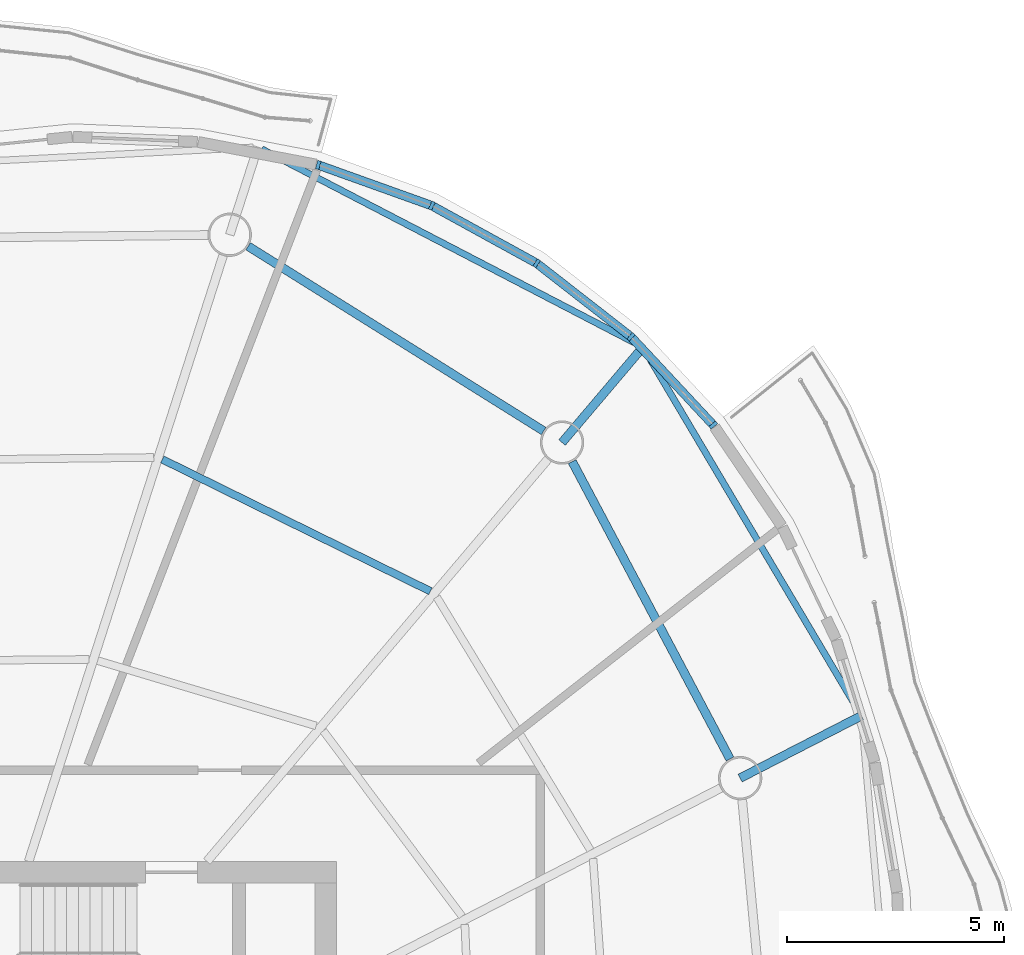
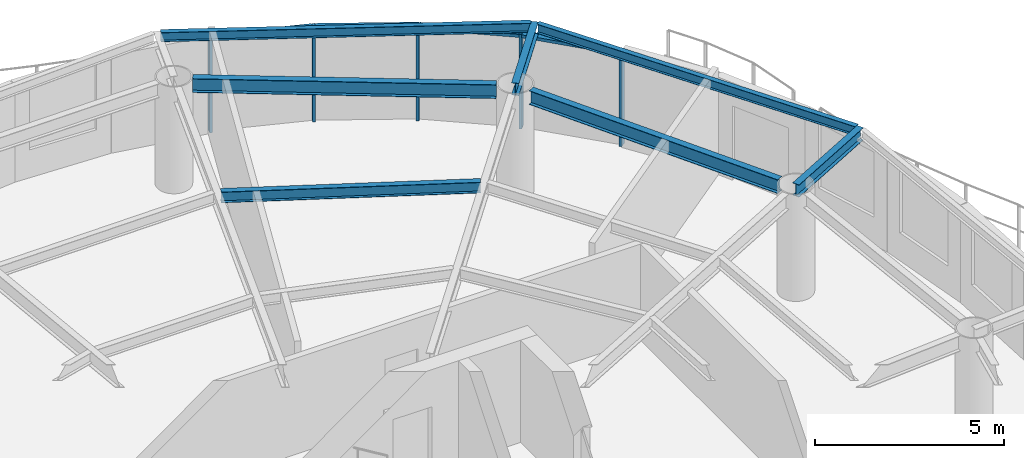
# One storey, part 6 of 15: 9 members, 7 beams, 4 elements without a shape of their own.
"""IFC4 building model written with IfcOpenShell, lengths in metres."""

from ifc_helpers import new_model, si_unit, direction, frame, origin, origin_2d, place, context, subcontext, project, spatial, rectangle, i_section, extrude, material, material_profile, profile_set, type_object, element, aggregate, save


model = new_model("IFC4")

# Units and contexts
model_context = context("Model", 3, precision=1e-05, world=origin(), true_north=direction((0.0, 1.0)))
body_context = subcontext(model_context, "Body", "Model", "MODEL_VIEW")
ifc_project = project(units=[si_unit("LENGTHUNIT", "METRE"), si_unit("AREAUNIT", "SQUARE_METRE"), si_unit("VOLUMEUNIT", "CUBIC_METRE"), si_unit("PLANEANGLEUNIT", "RADIAN"), si_unit("MASSUNIT", "GRAM", prefix="KILO")], contexts=[model_context])

# Site, building, storey
site_placement = place(None, origin())
site = spatial("IfcSite", under=ifc_project, at=site_placement, CompositionType="ELEMENT")
building_placement = place(site_placement, origin())
building = spatial("IfcBuilding", under=site, at=building_placement, Name="Vermilion Reach Broadcast Tower", CompositionType="ELEMENT")
storey_placement = place(building_placement, frame((0.0, 0.0, 261.300048828125)))
storey = spatial("IfcBuildingStorey", under=building, at=storey_placement, Name="L64", CompositionType="ELEMENT", Elevation=261.300048828125)

# Beams
ifc_material_1 = material(Name="Steel S355J2", Category="steel")
ifc_material_profile_1 = material_profile(ifc_material_1, i_section(OverallWidth=0.14990234375, OverallDepth=0.300048828125, WebThickness=0.006591796875, FlangeThickness=0.009033203125, at=origin_2d()), Name="S355J2 HN 300x150x6.5x9")
ifc_profile_set_1 = profile_set([ifc_material_profile_1], Name="Steel S355J2")
beam_type_1 = type_object("IfcBeamType", Name="EB5 HN 300x150x6.5x9", PredefinedType="BEAM", material=ifc_profile_set_1)
beam_1_placement = place(storey_placement, frame((15.651123046875, 11.244384765625, 3.300048828125), z_axis=(-0.509893702773, 0.860237415992, 0.0), x_axis=(-0.860237415992, -0.509893702773, 0.0)))
element("IfcBeam", 1, at=beam_1_placement, inside=storey, type_object=beam_type_1, Name="Edge beam EB5-15", PredefinedType="BEAM", context=body_context, shape_type="SweptSolid", body=[
    extrude(i_section(OverallWidth=0.14990234375, OverallDepth=0.300048828125, WebThickness=0.006591796875, FlangeThickness=0.009033203125, at=origin_2d()), origin(), (0.0, 0.0, 1.0), 9.673828125),
])
beam_2_placement = place(storey_placement, frame((10.57373046875, 19.70458984375, 3.300048828125), z_axis=(-0.887399463352, 0.461001293319, 0.0), x_axis=(-0.461001293319, -0.887399463352, 0.0)))
element("IfcBeam", 2, at=beam_2_placement, inside=storey, type_object=beam_type_1, Name="Edge beam EB5-16", PredefinedType="BEAM", context=body_context, shape_type="SweptSolid", body=[
    extrude(i_section(OverallWidth=0.14990234375, OverallDepth=0.300048828125, WebThickness=0.006591796875, FlangeThickness=0.009033203125, at=origin_2d()), origin(), (0.0, 0.0, 1.0), 9.800048828125),
])
ifc_material_2 = material(Name="Steel S355J2", Category="steel")
ifc_material_profile_2 = material_profile(ifc_material_2, i_section(OverallWidth=0.199951171875, OverallDepth=0.39990234375, WebThickness=0.008056640625, FlangeThickness=0.012939453125, at=origin_2d()), Name="S355J2 HN 400x200x8x13")
ifc_profile_set_2 = profile_set([ifc_material_profile_2], Name="Steel S355J2")
beam_type_2 = type_object("IfcBeamType", Name="GC5 HN 400x200x8x13", PredefinedType="BEAM", material=ifc_profile_set_2)
beam_3_placement = place(storey_placement, frame((12.905517578125, 9.72021484375, 3.25), z_axis=(0.889323886148, 0.457277842812, 0.0), x_axis=(-0.457277842812, 0.889323886148, 0.0)))
element("IfcBeam", 3, at=beam_3_placement, inside=storey, type_object=beam_type_2, Name="Cantilever girder GC5-15", PredefinedType="BEAM", context=body_context, shape_type="SweptSolid", body=[
    extrude(i_section(OverallWidth=0.199951171875, OverallDepth=0.39990234375, WebThickness=0.008056640625, FlangeThickness=0.012939453125, at=origin_2d()), origin(), (0.0, 0.0, 1.0), 3.144775390625),
])
beam_4_placement = place(storey_placement, frame((8.799560546875, 17.457275390625, 3.25), z_axis=(0.646647778252, 0.762788732796, 0.0), x_axis=(-0.762788732796, 0.646647778252, 0.0)))
element("IfcBeam", 4, at=beam_4_placement, inside=storey, type_object=beam_type_2, Name="Cantilever girder GC5-16", PredefinedType="BEAM", context=body_context, shape_type="SweptSolid", body=[
    extrude(i_section(OverallWidth=0.199951171875, OverallDepth=0.39990234375, WebThickness=0.008056640625, FlangeThickness=0.012939453125, at=origin_2d()), origin(), (0.0, 0.0, 1.0), 2.884033203125),
])
ifc_material_3 = material(Name="Steel S355J2", Category="steel")
ifc_material_profile_3 = material_profile(ifc_material_3, i_section(OverallWidth=0.199951171875, OverallDepth=0.449951171875, WebThickness=0.009033203125, FlangeThickness=0.013916015625, at=origin_2d()), Name="S355J2 HN 450x200x9x14")
ifc_profile_set_3 = profile_set([ifc_material_profile_3], Name="Steel S355J2")
beam_type_3 = type_object("IfcBeamType", Name="RB5 HN 450x200x9x14", PredefinedType="BEAM", material=ifc_profile_set_3)
beam_5_placement = place(storey_placement, frame((12.671142578125, 10.161865234375, 3.224853515625), z_axis=(-0.468767917375, 0.883321368269, 0.0), x_axis=(-0.883321368269, -0.468767917375, 0.0)))
element("IfcBeam", 5, at=beam_5_placement, inside=storey, type_object=beam_type_3, Name="Ring beam RB5-15", PredefinedType="BEAM", context=body_context, shape_type="SweptSolid", body=[
    extrude(i_section(OverallWidth=0.199951171875, OverallDepth=0.449951171875, WebThickness=0.009033203125, FlangeThickness=0.013916015625, at=origin_2d()), origin(), (0.0, 0.0, 1.0), 7.759033203125),
])
beam_6_placement = place(storey_placement, frame((8.375732421875, 17.722412109375, 3.224853515625), z_axis=(-0.847914653245, 0.530132757724, 0.0), x_axis=(-0.530132757724, -0.847914653245, 0.0)))
element("IfcBeam", 6, at=beam_6_placement, inside=storey, type_object=beam_type_3, Name="Ring beam RB5-16", PredefinedType="BEAM", context=body_context, shape_type="SweptSolid", body=[
    extrude(i_section(OverallWidth=0.199951171875, OverallDepth=0.449951171875, WebThickness=0.009033203125, FlangeThickness=0.013916015625, at=origin_2d()), origin(), (0.0, 0.0, 1.0), 8.035400390625),
])
ifc_material_4 = material(Name="Steel S355J2", Category="steel")
ifc_material_profile_4 = material_profile(ifc_material_4, i_section(OverallWidth=0.175048828125, OverallDepth=0.35009765625, WebThickness=0.007080078125, FlangeThickness=0.010986328125, at=origin_2d()), Name="S355J2 HN 350x175x7x11")
ifc_profile_set_4 = profile_set([ifc_material_profile_4], Name="Steel S355J2")
beam_type_4 = type_object("IfcBeamType", Name="SB5 HN 350x175x7x11", PredefinedType="BEAM", material=ifc_profile_set_4)
beam_7_placement = place(storey_placement, frame((5.762451171875, 14.029541015625, 3.27490234375), z_axis=(-0.897335928087, 0.441348198325, 0.0), x_axis=(-0.441348198325, -0.897335928087, 0.0)))
element("IfcBeam", 7, at=beam_7_placement, inside=storey, type_object=beam_type_4, Name="Secondary beam SB5-16-2", PredefinedType="BEAM", context=body_context, shape_type="SweptSolid", body=[
    extrude(i_section(OverallWidth=0.175048828125, OverallDepth=0.35009765625, WebThickness=0.007080078125, FlangeThickness=0.010986328125, at=origin_2d()), origin(), (0.0, 0.0, 1.0), 6.887451171875),
])

# Curtain wall, member
ifc_material_5 = material(Name="Low-e laminated clear glass in aluminium frame", Category="aluminium")
curtain_wall_type = type_object("IfcCurtainWallType", Name="Slot curtain wall", PredefinedType="NOTDEFINED", material=ifc_material_5)
placement = place(storey_placement, origin())
curtain_wall_1 = element("IfcCurtainWall", 8, at=placement, inside=storey, type_object=curtain_wall_type, Name="Slot curtain wall L64 46", PredefinedType="NOTDEFINED")
ifc_material_6 = material(Name="Anodised aluminium", Category="aluminium")
ifc_material_profile_5 = material_profile(ifc_material_6, rectangle(XDim=0.199951171875, YDim=0.080078125, at=origin_2d()), Name="Slot mullion 80 x 200")
ifc_profile_set_5 = profile_set([ifc_material_profile_5], Name="Anodised aluminium")
member_type_1 = type_object("IfcMemberType", Name="Slot mullion 80 x 200", PredefinedType="MULLION", material=ifc_profile_set_5)
member_1_placement = place(storey_placement, frame((12.28662109375, 17.859619140625, 0.0), z_axis=(0.0, 0.0, 1.0), x_axis=(-0.781884873438, -0.623422845819, 0.0)))
member_1 = element("IfcMember", 9, at=member_1_placement, type_object=member_type_1, Name="Slot mullion L64 46", PredefinedType="MULLION", context=body_context, shape_type="SweptSolid", body=[
    extrude(rectangle(XDim=0.199951171875, YDim=0.080078125, at=origin_2d()), origin(), (0.0, 0.0, 1.0), 3.050048828125),
])

curtain_wall_2 = element("IfcCurtainWall", 10, at=placement, inside=storey, type_object=curtain_wall_type, Name="Slot curtain wall L64 47", PredefinedType="NOTDEFINED")
member_2_placement = place(storey_placement, frame((10.389404296875, 19.89404296875, 0.0), z_axis=(0.0, 0.0, 1.0), x_axis=(-0.675190015526, -0.737643845588, 0.0)))
member_2 = element("IfcMember", 11, at=member_2_placement, type_object=member_type_1, Name="Slot mullion L64 47", PredefinedType="MULLION", context=body_context, shape_type="SweptSolid", body=[
    extrude(rectangle(XDim=0.199951171875, YDim=0.080078125, at=origin_2d()), origin(), (0.0, 0.0, 1.0), 3.050048828125),
])

curtain_wall_3 = element("IfcCurtainWall", 12, at=placement, inside=storey, type_object=curtain_wall_type, Name="Slot curtain wall L64 00", PredefinedType="NOTDEFINED")
member_3_placement = place(storey_placement, frame((8.214111328125, 21.589599609375, 0.0), z_axis=(0.0, 0.0, 1.0), x_axis=(-0.549897777152, -0.835231964596, 0.0)))
member_3 = element("IfcMember", 13, at=member_3_placement, type_object=member_type_1, Name="Slot mullion L64 00", PredefinedType="MULLION", context=body_context, shape_type="SweptSolid", body=[
    extrude(rectangle(XDim=0.199951171875, YDim=0.080078125, at=origin_2d()), origin(), (0.0, 0.0, 1.0), 3.050048828125),
])

# Curtain wall, members
curtain_wall_4 = element("IfcCurtainWall", 14, at=placement, inside=storey, type_object=curtain_wall_type, Name="Slot curtain wall L64 01", PredefinedType="NOTDEFINED")
member_4_placement = place(storey_placement, frame((5.796875, 22.917724609375, 0.0), z_axis=(0.0, 0.0, 1.0), x_axis=(-0.41073620737, -0.911754225631, 0.0)))
member_4 = element("IfcMember", 15, at=member_4_placement, type_object=member_type_1, Name="Slot mullion L64 01", PredefinedType="MULLION", context=body_context, shape_type="SweptSolid", body=[
    extrude(rectangle(XDim=0.199951171875, YDim=0.080078125, at=origin_2d()), origin(), (0.0, 0.0, 1.0), 3.050048828125),
])
member_5_placement = place(storey_placement, frame((3.17822265625, 23.856201171875, 0.0), z_axis=(0.0, 0.0, 1.0), x_axis=(-0.263646156395, -0.964619460833, 0.0)))
member_5 = element("IfcMember", 16, at=member_5_placement, type_object=member_type_1, Name="Slot mullion L64 02", PredefinedType="MULLION", context=body_context, shape_type="SweptSolid", body=[
    extrude(rectangle(XDim=0.199951171875, YDim=0.080078125, at=origin_2d()), origin(), (0.0, 0.0, 1.0), 3.050048828125),
])

# Member
ifc_material_7 = material(Name="Anodised aluminium", Category="aluminium")
ifc_material_profile_6 = material_profile(ifc_material_7, rectangle(XDim=0.199951171875, YDim=0.10009765625, at=origin_2d()), Name="Slot transom 200 x 100")
ifc_profile_set_6 = profile_set([ifc_material_profile_6], Name="Anodised aluminium")
member_type_2 = type_object("IfcMemberType", Name="Slot transom 200 x 100", PredefinedType="USERDEFINED", material=ifc_profile_set_6)
member_6_placement = place(storey_placement, frame((12.25927734375, 17.888671875, 3.0), z_axis=(-0.681915730713, 0.731430746008, 0.0), x_axis=(-0.731430746008, -0.681915730713, 0.0)))
member_6 = element("IfcMember", 17, at=member_6_placement, type_object=member_type_2, Name="Slot transom L64 46.1", ObjectType="TRANSOM", PredefinedType="USERDEFINED", context=body_context, shape_type="SweptSolid", body=[
    extrude(rectangle(XDim=0.199951171875, YDim=0.10009765625, at=origin_2d()), origin(), (0.0, 0.0, 1.0), 2.701904296875),
])

aggregate(curtain_wall_1, [member_1, member_6])

member_7_placement = place(storey_placement, frame((10.35791015625, 19.918701171875, 3.0), z_axis=(-0.788748051668, 0.614716610309, 0.0), x_axis=(-0.614716610309, -0.788748051668, 0.0)))
member_7 = element("IfcMember", 18, at=member_7_placement, type_object=member_type_2, Name="Slot transom L64 47.1", ObjectType="TRANSOM", PredefinedType="USERDEFINED", context=body_context, shape_type="SweptSolid", body=[
    extrude(rectangle(XDim=0.199951171875, YDim=0.10009765625, at=origin_2d()), origin(), (0.0, 0.0, 1.0), 2.677978515625),
])

aggregate(curtain_wall_2, [member_2, member_7])

member_8_placement = place(storey_placement, frame((8.178955078125, 21.60888671875, 3.0), z_axis=(-0.876414097948, 0.481558230039, 0.0), x_axis=(-0.481558230039, -0.876414097948, 0.0)))
member_8 = element("IfcMember", 19, at=member_8_placement, type_object=member_type_2, Name="Slot transom L64 00.1", ObjectType="TRANSOM", PredefinedType="USERDEFINED", context=body_context, shape_type="SweptSolid", body=[
    extrude(rectangle(XDim=0.199951171875, YDim=0.10009765625, at=origin_2d()), origin(), (0.0, 0.0, 1.0), 2.677978515625),
])

aggregate(curtain_wall_3, [member_3, member_8])

member_9_placement = place(storey_placement, frame((5.75927734375, 22.93115234375, 3.0), z_axis=(-0.941361065596, 0.337400865707, 0.0), x_axis=(-0.337400865707, -0.941361065596, 0.0)))
member_9 = element("IfcMember", 20, at=member_9_placement, type_object=member_type_2, Name="Slot transom L64 01.1", ObjectType="TRANSOM", PredefinedType="USERDEFINED", context=body_context, shape_type="SweptSolid", body=[
    extrude(rectangle(XDim=0.199951171875, YDim=0.10009765625, at=origin_2d()), origin(), (0.0, 0.0, 1.0), 2.701904296875),
])

aggregate(curtain_wall_4, [member_4, member_5, member_9])

save(model, "model.ifc")
